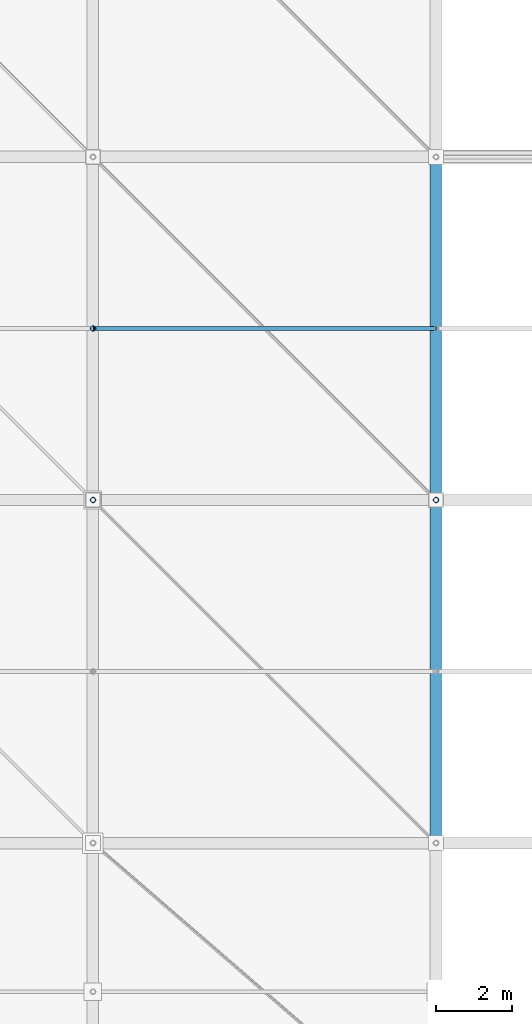
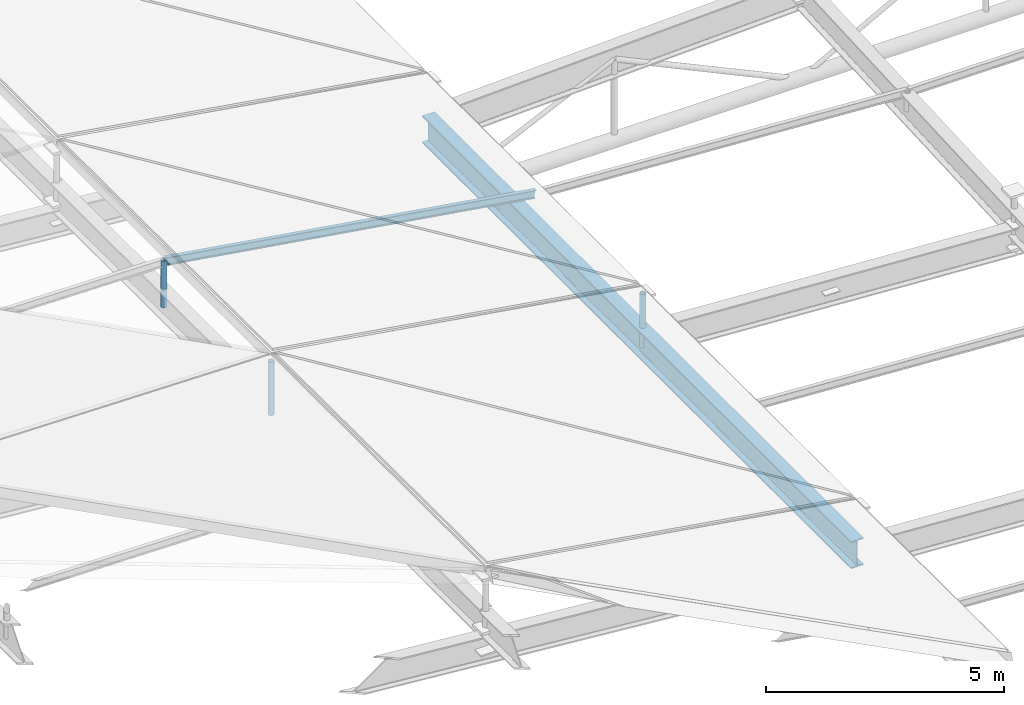
# One storey, part 10 of 80: 4 members, 1 beam.
"""IFC4 building model written with IfcOpenShell, lengths in metres."""

from ifc_helpers import new_model, si_unit, direction, frame, origin, origin_2d, place, context, subcontext, project, spatial, hollow_circle, i_section, extrude, material, material_profile, profile_set, type_object, element, save


model = new_model("IFC4")

# Units and contexts
model_context = context("Model", 3, precision=1e-05, world=origin(), true_north=direction((0.0, 1.0)))
body_context = subcontext(model_context, "Body", "Model", "MODEL_VIEW")
ifc_project = project(units=[si_unit("LENGTHUNIT", "METRE"), si_unit("AREAUNIT", "SQUARE_METRE"), si_unit("VOLUMEUNIT", "CUBIC_METRE"), si_unit("PLANEANGLEUNIT", "RADIAN"), si_unit("MASSUNIT", "GRAM", prefix="KILO")], contexts=[model_context])

# Site, building, storey
site_placement = place(None, origin())
site = spatial("IfcSite", under=ifc_project, at=site_placement, CompositionType="ELEMENT")
building_placement = place(site_placement, origin())
building = spatial("IfcBuilding", under=site, at=building_placement, Name="Barlavento Convention Centre", CompositionType="ELEMENT")
storey_placement = place(building_placement, frame((0.0, 0.0, 29.800048828125)))
storey = spatial("IfcBuildingStorey", under=building, at=storey_placement, Name="RF", CompositionType="ELEMENT", Elevation=29.800048828125)

# Beam
ifc_material_1 = material(Name="Steel S460", Category="steel")
ifc_material_profile_1 = material_profile(ifc_material_1, i_section(OverallWidth=0.300048828125, OverallDepth=0.699951171875, WebThickness=0.01708984375, FlangeThickness=0.031982421875, FilletRadius=0.027099609375, at=origin_2d()), Name="HEB 700")
ifc_profile_set_1 = profile_set([ifc_material_profile_1], Name="Steel S460")
beam_type = type_object("IfcBeamType", Name="STR-BM-TRUSS-TOP-HEB700", PredefinedType="BEAM", material=ifc_profile_set_1)
beam_placement = place(storey_placement, frame((18.0, 0.0048828125, -1.25634765625), z_axis=(0.0, 1.0, 0.0), x_axis=(-1.0, 0.0, 0.0)))
element("IfcBeam", 1, at=beam_placement, inside=storey, type_object=beam_type, Name="Congress roof truss space frame chord", PredefinedType="BEAM", context=body_context, shape_type="SweptSolid", body=[
    extrude(i_section(OverallWidth=0.300048828125, OverallDepth=0.699951171875, WebThickness=0.01708984375, FlangeThickness=0.031982421875, FilletRadius=0.027099609375, at=origin_2d()), origin(), (0.0, 0.0, 1.0), 17.990234375),
])

# Members
ifc_material_2 = material(Name="Steel S355", Category="steel")
ifc_material_profile_2 = material_profile(ifc_material_2, hollow_circle(Radius=0.06982421875, WallThickness=0.008056640625, at=origin_2d()), Name="CHS 139.7x8.0")
ifc_profile_set_2 = profile_set([ifc_material_profile_2], Name="Steel S355")
member_type_1 = type_object("IfcMemberType", Name="STR-MEM-DIAG-CHS139", PredefinedType="BRACE", material=ifc_profile_set_2)
for number, where, z_axis, x_axis, name in (
    (2, (9.0, 9.0, 0.00634765625), (0.0, 0.0, 1.0), (1.0, 0.0, 0.0), "Congress space frame vertical node post TD04"),
    (3, (18.0, 9.0, -1.40625), (0.0, 0.0, 1.0), (1.0, 0.0, 0.0), "Congress space frame vertical node post TD04"),
):
    element("IfcMember", number, at=place(storey_placement, frame(where, z_axis=z_axis, x_axis=x_axis)), inside=storey, type_object=member_type_1, Name=name, PredefinedType="BRACE", context=body_context, shape_type="SweptSolid", body=[
        extrude(hollow_circle(Radius=0.06982421875, WallThickness=0.008056640625, at=origin_2d()), origin(), (0.0, 0.0, 1.0), 1.369873046875),
    ])
member_1_placement = place(storey_placement, frame((9.0, 13.5, 0.0361328125), z_axis=(0.0, 0.0, 1.0), x_axis=(1.0, 0.0, 0.0)))
element("IfcMember", 4, at=member_1_placement, inside=storey, type_object=member_type_1, Name="Congress space frame vertical node post TD04", PredefinedType="BRACE", context=body_context, shape_type="SweptSolid", body=[
    extrude(hollow_circle(Radius=0.06982421875, WallThickness=0.008056640625, at=origin_2d()), origin(), (0.0, 0.0, 1.0), 1.196533203125),
])
ifc_material_profile_3 = material_profile(ifc_material_2, i_section(OverallWidth=0.10009765625, OverallDepth=0.199951171875, WebThickness=0.005615234375, FlangeThickness=0.008544921875, FilletRadius=0.011962890625, at=origin_2d()), Name="IPE 200")
ifc_profile_set_3 = profile_set([ifc_material_profile_3], Name="Steel S355")
member_type_2 = type_object("IfcMemberType", Name="STR-MEM-PUR-IPE200", PredefinedType="PURLIN", material=ifc_profile_set_3)
member_2_placement = place(storey_placement, frame((9.02001953125, 13.5, 1.19287109375), z_axis=(0.987844670797, 0.0, -0.155444222721), x_axis=(0.0, 1.0, 0.0)))
element("IfcMember", 5, at=member_2_placement, inside=storey, type_object=member_type_2, Name="Congress roof intermediate purlin PR01", PredefinedType="PURLIN", context=body_context, shape_type="SweptSolid", body=[
    extrude(i_section(OverallWidth=0.10009765625, OverallDepth=0.199951171875, WebThickness=0.005615234375, FlangeThickness=0.008544921875, FilletRadius=0.011962890625, at=origin_2d()), origin(), (0.0, 0.0, 1.0), 9.0703125),
])

save(model, "model.ifc")
